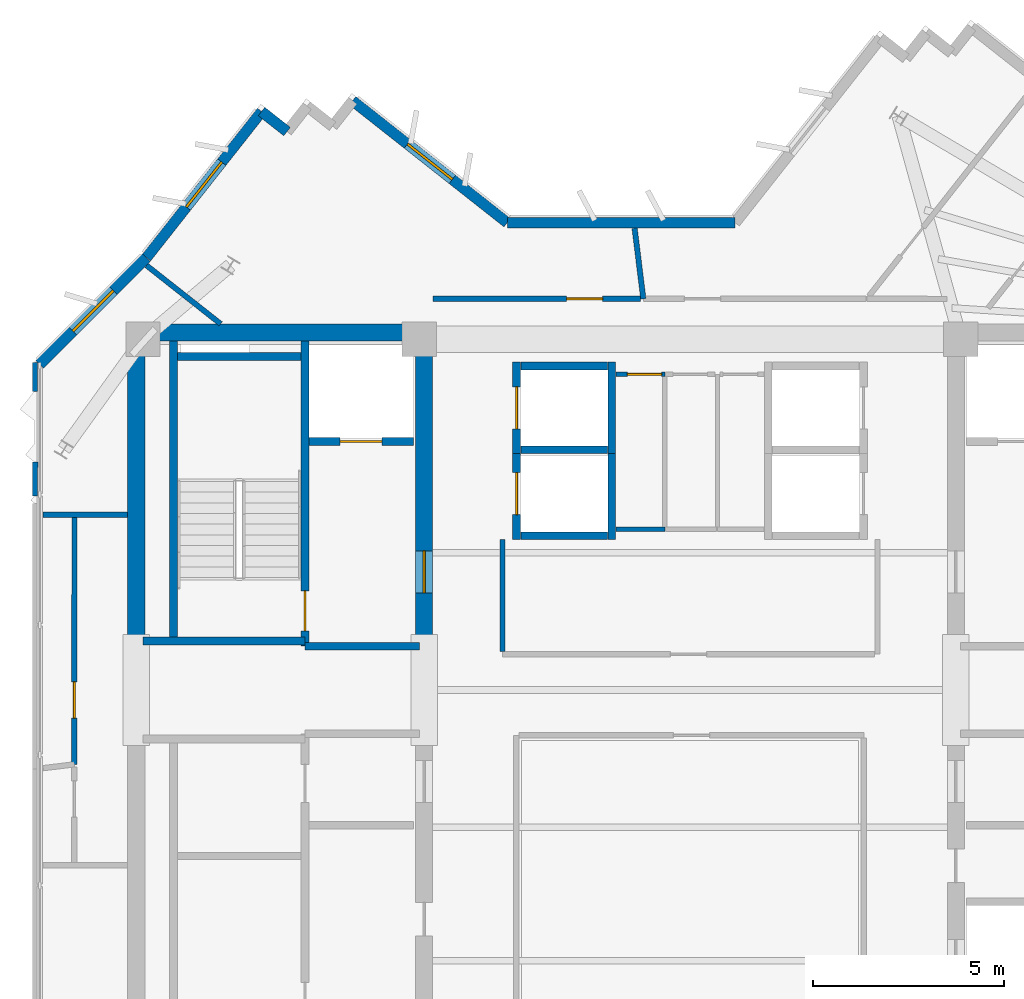
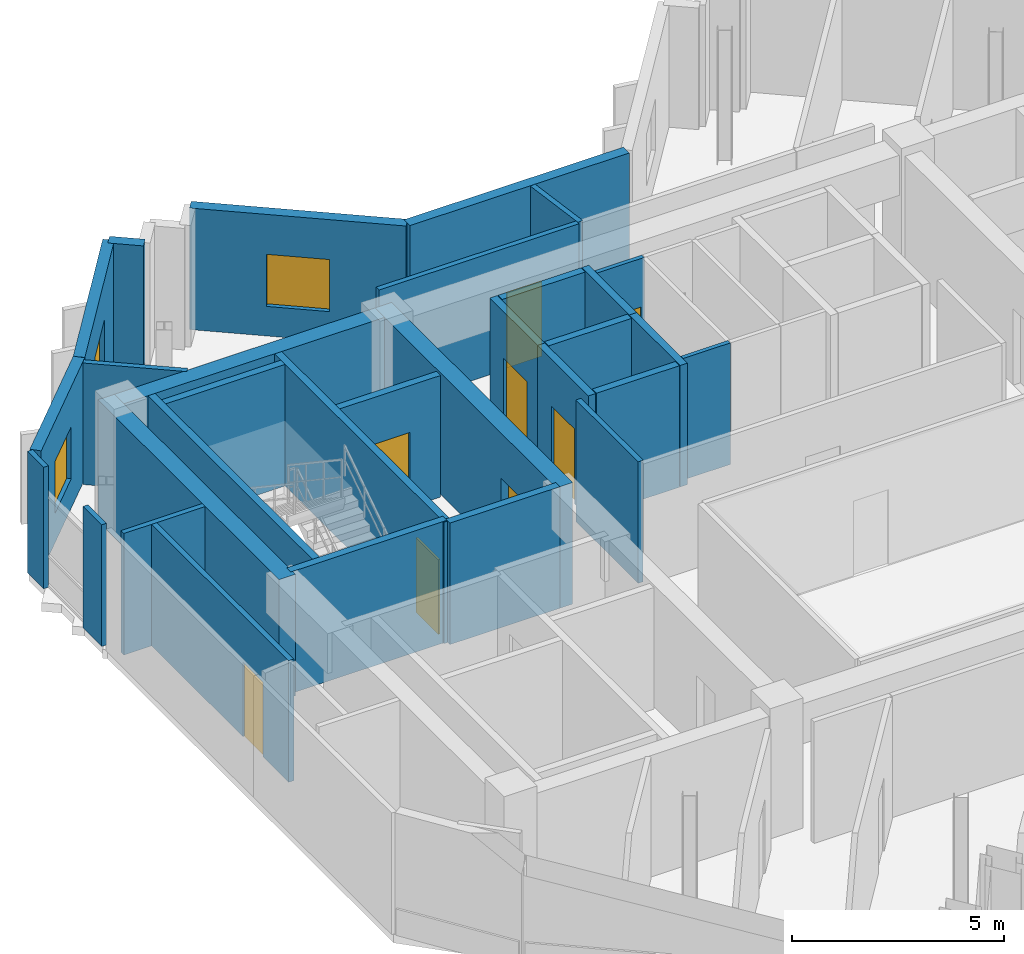
# One storey, part 6 of 10: 31 walls, 8 doors, 3 windows, 11 openings.
"""IFC4 building model written with IfcOpenShell, lengths in metres."""

import ifcopenshell
import ifcopenshell.guid

model = None  # the IFC model being written
_history = None  # IfcOwnerHistory: only IFC2X3 demands one
_inside = {}  # id of a spatial element -> (the spatial element, [elements in it])
_under = {}  # id of a project, library or spatial element -> (it, [spatial elements below it])
_declared = {}  # id of a project -> (the project, [libraries it declares])
_typed = {}  # id of a type object -> (the type object, [elements of that type])
_made_of = {}  # id of a material, layer set ... -> (it, [elements and type objects made of it])


def new_model(schema):
    """Start an empty IFC model of exactly this schema.

    Asked for "IFC4X3", IfcOpenShell would pick the latest addendum, in which some entities
    have other attributes; the version numbers below select the first issue.
    IFC2X3 requires an IfcOwnerHistory on every rooted entity: one is made here for all.
    """
    global model, _history
    if schema == "IFC4X3":
        model = ifcopenshell.file(schema_version=(4, 3, 0, 0))
    else:
        model = ifcopenshell.file(schema=schema)
    _inside.clear()
    _under.clear()
    _declared.clear()
    _typed.clear()
    _made_of.clear()
    _history = None
    if model.schema == "IFC2X3":
        org = make("IfcOrganization", Name="unknown")
        user = make(
            "IfcPersonAndOrganization",
            ThePerson=make("IfcPerson", FamilyName="unknown"),
            TheOrganization=org,
        )
        app = make(
            "IfcApplication",
            ApplicationDeveloper=org,
            Version="unknown",
            ApplicationFullName="unknown",
            ApplicationIdentifier="unknown",
        )
        _history = make(
            "IfcOwnerHistory",
            OwningUser=user,
            OwningApplication=app,
            ChangeAction="ADDED",
            CreationDate=0,
        )
    return model


def make(cls, **values):
    """One entity of the class cls with the attributes given. An attribute that is None is left unset."""
    return model.create_entity(
        cls, **{name: value for name, value in values.items() if value is not None}
    )


def rooted(cls, **values):
    """An entity with a GlobalId (a new one), such as an element, a storey or a relation."""
    return make(cls, GlobalId=ifcopenshell.guid.new(), OwnerHistory=_history, **values)


def si_unit(unit_type, name, prefix=None):
    """IfcSIUnit, for example si_unit("LENGTHUNIT", "METRE", prefix="MILLI")."""
    return make("IfcSIUnit", UnitType=unit_type, Prefix=prefix, Name=name)


def assignment(units):
    """IfcUnitAssignment: the units of a project."""
    return None if units is None else make("IfcUnitAssignment", Units=units)


def point(xyz):
    """IfcCartesianPoint."""
    return None if xyz is None else make("IfcCartesianPoint", Coordinates=xyz)


def direction(xyz):
    """IfcDirection."""
    return None if xyz is None else make("IfcDirection", DirectionRatios=xyz)


def frame(location, z_axis=None, x_axis=None):
    """IfcAxis2Placement3D, a coordinate frame: its origin and axes. An axis left out is left unset."""
    return make(
        "IfcAxis2Placement3D",
        Location=point(location),
        Axis=direction(z_axis),
        RefDirection=direction(x_axis),
    )


def frame_2d(location, x_axis=None):
    """IfcAxis2Placement2D, a coordinate frame in the plane: its origin and x axis."""
    return make(
        "IfcAxis2Placement2D", Location=point(location), RefDirection=direction(x_axis)
    )


def origin():
    """The frame at (0, 0, 0) with its axes left unset."""
    return frame((0.0, 0.0, 0.0))


def place(relative_to, where):
    """IfcLocalPlacement: puts the frame where relative to a parent placement (None: the world)."""
    return make(
        "IfcLocalPlacement", PlacementRelTo=relative_to, RelativePlacement=where
    )


def context(
    kind, dimensions, precision=None, world=None, true_north=None, identifier=None
):
    """IfcGeometricRepresentationContext, for example the 3D "Model" context."""
    return make(
        "IfcGeometricRepresentationContext",
        ContextIdentifier=identifier,
        ContextType=kind,
        CoordinateSpaceDimension=dimensions,
        Precision=precision,
        WorldCoordinateSystem=world,
        TrueNorth=true_north,
    )


def subcontext(parent, identifier, kind, view, scale=None):
    """IfcGeometricRepresentationSubContext, for example "Body" below "Model"."""
    return make(
        "IfcGeometricRepresentationSubContext",
        ContextIdentifier=identifier,
        ContextType=kind,
        ParentContext=parent,
        TargetScale=scale,
        TargetView=view,
    )


def project(units=None, contexts=None):
    """IfcProject with its units and contexts."""
    return rooted(
        "IfcProject",
        Name="project",
        RepresentationContexts=contexts,
        UnitsInContext=assignment(units),
    )


def spatial(cls, under=None, at=None, **own):
    """A site, building, storey or space (cls), placed at a placement, below another one or the project."""
    s = rooted(cls, ObjectPlacement=at, **own)
    if under is not None:
        _under.setdefault(under.id(), (under, []))[1].append(s)
    return s


def profile(cls, at=None, kind="AREA", **sizes):
    """A parametric profile (cls). Its sizes go by their IFC names, for example OverallWidth=200.0."""
    return make(cls, ProfileType=kind, Position=at, **sizes)


def rectangle(**sizes):
    """IfcRectangleProfileDef."""
    return profile("IfcRectangleProfileDef", **sizes)


def extrude(swept, where, along, depth):
    """IfcExtrudedAreaSolid: the profile swept, set in the frame where, extruded along a direction by depth."""
    return make(
        "IfcExtrudedAreaSolid",
        SweptArea=swept,
        Position=where,
        ExtrudedDirection=direction(along),
        Depth=depth,
    )


def shape(context_of_items, identifier, shape_type, items):
    """IfcShapeRepresentation: the items that make up one representation, for example the "Body"."""
    return make(
        "IfcShapeRepresentation",
        ContextOfItems=context_of_items,
        RepresentationIdentifier=identifier,
        RepresentationType=shape_type,
        Items=items,
    )


def source(mapping_origin, context_of_items, identifier, shape_type, items):
    """IfcRepresentationMap: a shape defined once, which mapped items show again and again."""
    return make(
        "IfcRepresentationMap",
        MappingOrigin=mapping_origin,
        MappedRepresentation=shape(context_of_items, identifier, shape_type, items),
    )


def transform(
    local_origin,
    x_axis=None,
    y_axis=None,
    z_axis=None,
    scale=None,
    scale2=None,
    scale3=None,
    uniform=True,
):
    """IfcCartesianTransformationOperator3D, or its non-uniform kind. x_axis, y_axis, z_axis: its Axis1, 2, 3."""
    if uniform:
        return make(
            "IfcCartesianTransformationOperator3D",
            Axis1=direction(x_axis),
            Axis2=direction(y_axis),
            LocalOrigin=point(local_origin),
            Scale=scale,
            Axis3=direction(z_axis),
        )
    return make(
        "IfcCartesianTransformationOperator3DnonUniform",
        Axis1=direction(x_axis),
        Axis2=direction(y_axis),
        LocalOrigin=point(local_origin),
        Scale=scale,
        Axis3=direction(z_axis),
        Scale2=scale2,
        Scale3=scale3,
    )


def mapped(mapping_source, mapping_target):
    """IfcMappedItem: shows the shape of a source again, moved by a transform."""
    return make(
        "IfcMappedItem", MappingSource=mapping_source, MappingTarget=mapping_target
    )


def material(Name=None, Category=None):
    """IfcMaterial."""
    return make("IfcMaterial", Name=Name, Category=Category)


def layer(
    of_material, thickness, ventilated=None, Name=None, Category=None, Priority=None
):
    """IfcMaterialLayer: one layer of a wall or slab, of a material (None: an air gap)."""
    return make(
        "IfcMaterialLayer",
        Material=of_material,
        LayerThickness=thickness,
        IsVentilated=ventilated,
        Name=Name,
        Category=Category,
        Priority=Priority,
    )


def layer_set(layers, Name=None):
    """IfcMaterialLayerSet."""
    return make("IfcMaterialLayerSet", MaterialLayers=layers, LayerSetName=Name)


def made_of(thing, what):
    """Note that an element or type object is made of a material, layer set ...; save() writes the relation."""
    if what is not None:
        _made_of.setdefault(what.id(), (what, []))[1].append(thing)
    return thing


def type_object(cls, material=None, **own):
    """A type object (cls), such as IfcWallType, which elements share."""
    return made_of(rooted(cls, **own), material)


def element(
    cls,
    number,
    at=None,
    inside=None,
    cuts=None,
    type_object=None,
    material=None,
    context=None,
    identifier="Body",
    shape_type=None,
    held_by="IfcProductDefinitionShape",
    body=None,
    shapes=None,
    **own,
):
    """One element of the class cls, such as IfcWall. Its Tag is "e" and its number.

    at: its placement. inside: the storey or other place that contains it. cuts: it is an
    opening in that element (IfcRelVoidsElement). A single representation is given by context,
    identifier, shape_type and body (its items); several are given by shapes. held_by: the class
    of the entity that holds the representations. save() writes the other relations.
    """
    e = rooted(cls, Tag="e%d" % number, ObjectPlacement=at, **own)
    if body is not None:
        shapes = [shape(context, identifier, shape_type, body)]
    if shapes is not None:
        e.Representation = make(held_by, Representations=shapes)
    if inside is not None:
        _inside.setdefault(inside.id(), (inside, []))[1].append(e)
    if cuts is not None:
        rooted(
            "IfcRelVoidsElement", RelatingBuildingElement=cuts, RelatedOpeningElement=e
        )
    if type_object is not None:
        _typed.setdefault(type_object.id(), (type_object, []))[1].append(e)
    return made_of(e, material)


def fill(opening, filler):
    """IfcRelFillsElement: the door or window that sits in an opening."""
    return rooted(
        "IfcRelFillsElement",
        RelatingOpeningElement=opening,
        RelatedBuildingElement=filler,
    )


def aggregate(whole, parts):
    """IfcRelAggregates: a whole, such as a stair, and the parts it consists of."""
    return rooted("IfcRelAggregates", RelatingObject=whole, RelatedObjects=parts)


def save(model, path):
    """Write the relations noted so far, then the file.

    IfcRelAggregates (storeys below a building ...), IfcRelContainedInSpatialStructure (elements
    in a storey), IfcRelDefinesByType, IfcRelAssociatesMaterial and IfcRelDeclares: one each for
    every whole, place, type object, material and project.
    """
    for whole, parts in _under.values():
        aggregate(whole, parts)
    for where, things in _inside.values():
        rooted(
            "IfcRelContainedInSpatialStructure",
            RelatedElements=things,
            RelatingStructure=where,
        )
    for kind, things in _typed.values():
        rooted("IfcRelDefinesByType", RelatedObjects=things, RelatingType=kind)
    for what, things in _made_of.values():
        rooted("IfcRelAssociatesMaterial", RelatedObjects=things, RelatingMaterial=what)
    for by, libraries in _declared.values():
        rooted("IfcRelDeclares", RelatingContext=by, RelatedDefinitions=libraries)
    model.write(path)


model = new_model("IFC4")

# Units and contexts
model_context = context("Model", 3, precision=1e-05, world=origin(), true_north=direction((0.0, 1.0)))
body_context = subcontext(model_context, "Body", "Model", "MODEL_VIEW")
ifc_project = project(units=[si_unit("LENGTHUNIT", "METRE"), si_unit("AREAUNIT", "SQUARE_METRE"), si_unit("VOLUMEUNIT", "CUBIC_METRE"), si_unit("PLANEANGLEUNIT", "RADIAN"), si_unit("MASSUNIT", "GRAM", prefix="KILO")], contexts=[model_context])

# Site, building, storey
site_placement = place(None, origin())
site = spatial("IfcSite", under=ifc_project, at=site_placement, CompositionType="ELEMENT")
building_placement = place(site_placement, origin())
building = spatial("IfcBuilding", under=site, at=building_placement, Name="Zahravan Cultural Tower", CompositionType="ELEMENT")
storey_placement = place(building_placement, frame((0.0, 0.0, 327.300048828125)))
storey = spatial("IfcBuildingStorey", under=building, at=storey_placement, Name="L79", CompositionType="ELEMENT", Elevation=327.300048828125)

# Wall, opening, door
ifc_material_1 = material(Name="Concrete C50/60", Category="concrete")
ifc_layer_1 = layer(ifc_material_1, 0.449951171875)
ifc_layer_set_1 = layer_set([ifc_layer_1], Name="Concrete C50/60")
wall_type_1 = type_object("IfcWallType", Name="CW-SHEAR-450-C50", PredefinedType="SHEAR", material=ifc_layer_set_1)
wall_1_placement = place(storey_placement, frame((29.02490234375, 28.050048828125, 0.0), z_axis=(0.0, 0.0, 1.0), x_axis=(0.0, 1.0, 0.0)))
wall_1 = element("IfcWall", 1, at=wall_1_placement, inside=storey, type_object=wall_type_1, Name="L79 Core Shear Wall CW-W-EN-L79", PredefinedType="SHEAR", context=body_context, shape_type="SweptSolid", body=[
    extrude(rectangle(XDim=8.550048828125, YDim=0.449951171875, at=frame_2d((4.27490234375, 0.0))), origin(), (0.0, 0.0, 1.0), 3.5),
])
opening_1_placement = place(wall_1_placement, frame((1.5, 0.0, 0.0)))
opening_1 = element("IfcOpeningElement", 2, at=opening_1_placement, cuts=wall_1, Name="Opening D-L79-06", PredefinedType="OPENING", context=body_context, shape_type="SweptSolid", body=[
    extrude(rectangle(XDim=1.10009765625, YDim=2.199951171875, at=frame_2d((0.550048828125, 1.10009765625))), frame((0.0, 0.23486328125, 0.0), z_axis=(0.0, -1.0, 0.0), x_axis=(1.0, 0.0, 0.0)), (0.0, 0.0, 1.0), 0.469970703125),
])
ifc_material_2 = material(Name="Steel ASTM A572 Grade 50", Category="steel")
door_type_1 = type_object("IfcDoorType", Name="DR-LOBBY-1100", OperationType="NOTDEFINED", PredefinedType="DOOR", material=ifc_material_2)
shared_shape_1 = source(origin(), body_context, "Body", "SweptSolid", [
    extrude(rectangle(XDim=1.10009765625, YDim=2.199951171875, at=frame_2d((0.550048828125, 1.10009765625))), frame((0.0, 0.02490234375, 0.0), z_axis=(0.0, -1.0, 0.0), x_axis=(1.0, 0.0, 0.0)), (0.0, 0.0, 1.0), 0.050048828125),
])
door_1_placement = place(opening_1_placement, origin())
door_1 = element("IfcDoor", 3, at=door_1_placement, inside=storey, type_object=door_type_1, Name="L79 Door D-L79-06", OperationType="SINGLE_SWING_RIGHT", OverallHeight=2.199951171875, OverallWidth=1.10009765625, PredefinedType="DOOR", context=body_context, shape_type="MappedRepresentation", body=[
    mapped(shared_shape_1, transform((0.0, 0.0, 0.0), x_axis=(1.0, 0.0, 0.0), y_axis=(0.0, 1.0, 0.0), z_axis=(0.0, 0.0, 1.0), scale=1.0)),
])
fill(opening_1, door_1)

# Wall, opening, window
ifc_material_3 = material(Name="Precast concrete C40/50", Category="concrete")
ifc_layer_2 = layer(ifc_material_3, 0.280029296875)
ifc_layer_set_2 = layer_set([ifc_layer_2], Name="Precast concrete C40/50")
wall_type_2 = type_object("IfcWallType", Name="EW-TC-280", PredefinedType="SOLIDWALL", material=ifc_layer_set_2)
wall_2_placement = place(storey_placement, frame((18.93994140625, 35.5419921875, 0.0), z_axis=(0.0, 0.0, 1.0), x_axis=(0.707106781187, 0.707106781187, 0.0)))
wall_2 = element("IfcWall", 4, at=wall_2_placement, inside=storey, type_object=wall_type_2, Name="L79 Exterior Masonry Frame Wall 01", PredefinedType="SOLIDWALL", context=body_context, shape_type="SweptSolid", body=[
    extrude(rectangle(XDim=3.96337890625, YDim=0.280029296875, at=frame_2d((1.981689453125, 0.0))), origin(), (0.0, 0.0, 1.0), 3.5),
])
opening_2_placement = place(wall_2_placement, frame((1.23193359375, 0.0, 0.85009765625)))
opening_2 = element("IfcOpeningElement", 5, at=opening_2_placement, cuts=wall_2, Name="Opening WN-03", PredefinedType="OPENING", context=body_context, shape_type="SweptSolid", body=[
    extrude(rectangle(XDim=1.5, YDim=1.5, at=frame_2d((0.75, 0.75))), frame((0.0, 0.14990234375, 0.0), z_axis=(0.0, -1.0, 0.0), x_axis=(1.0, 0.0, 0.0)), (0.0, 0.0, 1.0), 0.300048828125),
])
ifc_material_4 = material(Name="Low-E solar-control double glazing", Category="glass")
window_type = type_object("IfcWindowType", Name="WN-REC-1500X1500", PartitioningType="SINGLE_PANEL", PredefinedType="WINDOW", material=ifc_material_4)
shared_shape_2 = source(origin(), body_context, "Body", "SweptSolid", [
    extrude(rectangle(XDim=1.5, YDim=1.5, at=frame_2d((0.75, 0.75))), frame((0.0, 0.030029296875, 0.0), z_axis=(0.0, -1.0, 0.0), x_axis=(1.0, 0.0, 0.0)), (0.0, 0.0, 1.0), 0.06005859375),
])
window_1_placement = place(opening_2_placement, origin())
window_1 = element("IfcWindow", 6, at=window_1_placement, inside=storey, type_object=window_type, Name="L79 Recessed Solar Window 01", OverallHeight=1.5, OverallWidth=1.5, PartitioningType="SINGLE_PANEL", PredefinedType="WINDOW", context=body_context, shape_type="MappedRepresentation", body=[
    mapped(shared_shape_2, transform((0.0, 0.0, 0.0), x_axis=(1.0, 0.0, 0.0), y_axis=(0.0, 1.0, 0.0), z_axis=(0.0, 0.0, 1.0), scale=1.0)),
])
fill(opening_2, window_1)

wall_3_placement = place(storey_placement, frame((21.742431640625, 38.344482421875, 0.0), z_axis=(0.0, 0.0, 1.0), x_axis=(0.619093990715, 0.785316898239, 0.0)))
wall_3 = element("IfcWall", 7, at=wall_3_placement, inside=storey, type_object=wall_type_2, Name="L79 Exterior Masonry Frame Wall 02", PredefinedType="SOLIDWALL", context=body_context, shape_type="SweptSolid", body=[
    extrude(rectangle(XDim=4.877685546875, YDim=0.280029296875, at=frame_2d((2.43896484375, 0.0))), origin(), (0.0, 0.0, 1.0), 3.5),
])
opening_3_placement = place(wall_3_placement, frame((1.68896484375, 0.0, 0.85009765625)))
opening_3 = element("IfcOpeningElement", 8, at=opening_3_placement, cuts=wall_3, Name="Opening WN-03", PredefinedType="OPENING", context=body_context, shape_type="SweptSolid", body=[
    extrude(rectangle(XDim=1.5, YDim=1.5, at=frame_2d((0.75, 0.75))), frame((0.0, 0.14990234375, 0.0), z_axis=(0.0, -1.0, 0.0), x_axis=(1.0, 0.0, 0.0)), (0.0, 0.0, 1.0), 0.300048828125),
])
window_2_placement = place(opening_3_placement, origin())
window_2 = element("IfcWindow", 9, at=window_2_placement, inside=storey, type_object=window_type, Name="L79 Recessed Solar Window 02", OverallHeight=1.5, OverallWidth=1.5, PartitioningType="SINGLE_PANEL", PredefinedType="WINDOW", context=body_context, shape_type="MappedRepresentation", body=[
    mapped(shared_shape_2, transform((0.0, 0.0, 0.0), x_axis=(1.0, 0.0, 0.0), y_axis=(0.0, 1.0, 0.0), z_axis=(0.0, 0.0, 1.0), scale=1.0)),
])
fill(opening_3, window_2)

wall_4_placement = place(storey_placement, frame((27.14990234375, 42.457763671875, 0.0), z_axis=(0.0, 0.0, 1.0), x_axis=(0.78530363687, -0.61911081231, 0.0)))
wall_4 = element("IfcWall", 10, at=wall_4_placement, inside=storey, type_object=wall_type_2, Name="L79 Exterior Masonry Frame Wall 07", PredefinedType="SOLIDWALL", context=body_context, shape_type="SweptSolid", body=[
    extrude(rectangle(XDim=5.1650390625, YDim=0.280029296875, at=frame_2d((2.58251953125, 0.0))), origin(), (0.0, 0.0, 1.0), 3.5),
])
opening_4_placement = place(wall_4_placement, frame((1.8330078125, 0.0, 0.85009765625)))
opening_4 = element("IfcOpeningElement", 11, at=opening_4_placement, cuts=wall_4, Name="Opening WN-03", PredefinedType="OPENING", context=body_context, shape_type="SweptSolid", body=[
    extrude(rectangle(XDim=1.5, YDim=1.5, at=frame_2d((0.75, 0.75))), frame((0.0, 0.14990234375, 0.0), z_axis=(0.0, -1.0, 0.0), x_axis=(1.0, 0.0, 0.0)), (0.0, 0.0, 1.0), 0.300048828125),
])
window_3_placement = place(opening_4_placement, origin())
window_3 = element("IfcWindow", 12, at=window_3_placement, inside=storey, type_object=window_type, Name="L79 Recessed Solar Window 03", OverallHeight=1.5, OverallWidth=1.5, PartitioningType="SINGLE_PANEL", PredefinedType="WINDOW", context=body_context, shape_type="MappedRepresentation", body=[
    mapped(shared_shape_2, transform((0.0, 0.0, 0.0), x_axis=(1.0, 0.0, 0.0), y_axis=(0.0, 1.0, 0.0), z_axis=(0.0, 0.0, 1.0), scale=1.0)),
])
fill(opening_4, window_3)

# Wall, opening, door
ifc_material_5 = material(Name="Gypsum plasterboard partition")
ifc_layer_3 = layer(ifc_material_5, 0.139892578125)
ifc_layer_set_3 = layer_set([ifc_layer_3], Name="Gypsum plasterboard partition")
wall_type_3 = type_object("IfcWallType", Name="W-PART-140", PredefinedType="PARTITIONING", material=ifc_layer_set_3)
wall_5_placement = place(storey_placement, frame((19.8525390625, 31.522705078125, 0.0), z_axis=(0.0, 0.0, 1.0), x_axis=(-0.000377187662, -0.999999928865, 0.0)))
wall_5 = element("IfcWall", 13, at=wall_5_placement, inside=storey, type_object=wall_type_3, Name="L79 Interior Wall 058", PredefinedType="PARTITIONING", context=body_context, shape_type="SweptSolid", body=[
    extrude(rectangle(XDim=6.47265625, YDim=0.139892578125, at=frame_2d((3.236328125, 0.0))), origin(), (0.0, 0.0, 1.0), 3.5),
])
opening_5_placement = place(wall_5_placement, frame((4.3076171875, 0.0, 0.0)))
opening_5 = element("IfcOpeningElement", 14, at=opening_5_placement, cuts=wall_5, Name="Opening D-L79-20", PredefinedType="OPENING", context=body_context, shape_type="SweptSolid", body=[
    extrude(rectangle(XDim=0.949951171875, YDim=2.14990234375, at=frame_2d((0.47509765625, 1.074951171875))), frame((0.0, 0.079833984375, 0.0), z_axis=(0.0, -1.0, 0.0), x_axis=(1.0, 0.0, 0.0)), (0.0, 0.0, 1.0), 0.159912109375),
])
ifc_material_6 = material(Name="Anodised bronze-aluminium mullion", Category="aluminium")
door_type_2 = type_object("IfcDoorType", Name="DR-ROOM-950", OperationType="NOTDEFINED", PredefinedType="DOOR", material=ifc_material_6)
shared_shape_3 = source(origin(), body_context, "Body", "SweptSolid", [
    extrude(rectangle(XDim=0.949951171875, YDim=2.14990234375, at=frame_2d((0.47509765625, 1.074951171875))), frame((0.0, 0.02490234375, 0.0), z_axis=(0.0, -1.0, 0.0), x_axis=(1.0, 0.0, 0.0)), (0.0, 0.0, 1.0), 0.050048828125),
])
door_2_placement = place(opening_5_placement, origin())
door_2 = element("IfcDoor", 15, at=door_2_placement, inside=storey, type_object=door_type_2, Name="L79 Door D-L79-20", OperationType="SINGLE_SWING_RIGHT", OverallHeight=2.14990234375, OverallWidth=0.949951171875, PredefinedType="DOOR", context=body_context, shape_type="MappedRepresentation", body=[
    mapped(shared_shape_3, transform((0.0, 0.0, 0.0), x_axis=(1.0, 0.0, 0.0), y_axis=(0.0, 1.0, 0.0), z_axis=(0.0, 0.0, 1.0), scale=1.0)),
])
fill(opening_5, door_2)

wall_6_placement = place(storey_placement, frame((34.69970703125, 37.260009765625, 0.0), z_axis=(0.0, 0.0, 1.0), x_axis=(-0.999999995981, -8.9657955e-05, 0.0)))
wall_6 = element("IfcWall", 16, at=wall_6_placement, inside=storey, type_object=wall_type_3, Name="L79 Interior Wall 080", PredefinedType="PARTITIONING", context=body_context, shape_type="SweptSolid", body=[
    extrude(rectangle(XDim=5.446044921875, YDim=0.139892578125, at=frame_2d((2.72314453125, 0.0))), origin(), (0.0, 0.0, 1.0), 3.5),
])
opening_6_placement = place(wall_6_placement, frame((0.989013671875, 0.0, 0.0)))
opening_6 = element("IfcOpeningElement", 17, at=opening_6_placement, cuts=wall_6, Name="Opening D-L79-19", PredefinedType="OPENING", context=body_context, shape_type="SweptSolid", body=[
    extrude(rectangle(XDim=0.949951171875, YDim=2.14990234375, at=frame_2d((0.47509765625, 1.074951171875))), frame((0.0, 0.079833984375, 0.0), z_axis=(0.0, -1.0, 0.0), x_axis=(1.0, 0.0, 0.0)), (0.0, 0.0, 1.0), 0.159912109375),
])
door_3_placement = place(opening_6_placement, origin())
door_3 = element("IfcDoor", 18, at=door_3_placement, inside=storey, type_object=door_type_2, Name="L79 Door D-L79-19", OperationType="SINGLE_SWING_LEFT", OverallHeight=2.14990234375, OverallWidth=0.949951171875, PredefinedType="DOOR", context=body_context, shape_type="MappedRepresentation", body=[
    mapped(shared_shape_3, transform((0.0, 0.0, 0.0), x_axis=(1.0, 0.0, 0.0), y_axis=(0.0, 1.0, 0.0), z_axis=(0.0, 0.0, 1.0), scale=1.0)),
])
fill(opening_6, door_3)

ifc_material_7 = material(Name="Concrete C45/55", Category="concrete")
ifc_layer_4 = layer(ifc_material_7, 0.199951171875)
ifc_layer_set_4 = layer_set([ifc_layer_4], Name="Concrete C45/55")
wall_type_4 = type_object("IfcWallType", Name="W-SHAFT-200", PredefinedType="SOLIDWALL", material=ifc_layer_set_4)
wall_7_placement = place(storey_placement, frame((25.89990234375, 28.14990234375, 0.0), z_axis=(0.0, 0.0, 1.0), x_axis=(0.0, 1.0, 0.0)))
wall_7 = element("IfcWall", 19, at=wall_7_placement, inside=storey, type_object=wall_type_4, Name="L79 Interior Wall 006", PredefinedType="SOLIDWALL", context=body_context, shape_type="SweptSolid", body=[
    extrude(rectangle(XDim=8.0, YDim=0.199951171875, at=frame_2d((4.0, 0.0))), origin(), (0.0, 0.0, 1.0), 3.5),
])
opening_7_placement = place(wall_7_placement, frame((0.39990234375, 0.0, 0.0)))
opening_7 = element("IfcOpeningElement", 20, at=opening_7_placement, cuts=wall_7, Name="Opening D-L79-01", PredefinedType="OPENING", context=body_context, shape_type="SweptSolid", body=[
    extrude(rectangle(XDim=1.050048828125, YDim=2.14990234375, at=frame_2d((0.52490234375, 1.074951171875))), frame((0.0, 0.10986328125, 0.0), z_axis=(0.0, -1.0, 0.0), x_axis=(1.0, 0.0, 0.0)), (0.0, 0.0, 1.0), 0.219970703125),
])
door_type_3 = type_object("IfcDoorType", Name="DR-STAIR-1050", OperationType="NOTDEFINED", PredefinedType="DOOR", material=ifc_material_2)
shared_shape_4 = source(origin(), body_context, "Body", "SweptSolid", [
    extrude(rectangle(XDim=1.050048828125, YDim=2.14990234375, at=frame_2d((0.52490234375, 1.074951171875))), frame((0.0, 0.02490234375, 0.0), z_axis=(0.0, -1.0, 0.0), x_axis=(1.0, 0.0, 0.0)), (0.0, 0.0, 1.0), 0.050048828125),
])
door_4_placement = place(opening_7_placement, origin())
door_4 = element("IfcDoor", 21, at=door_4_placement, inside=storey, type_object=door_type_3, Name="L79 Door D-L79-01", OperationType="SINGLE_SWING_LEFT", OverallHeight=2.14990234375, OverallWidth=1.050048828125, PredefinedType="DOOR", context=body_context, shape_type="MappedRepresentation", body=[
    mapped(shared_shape_4, transform((0.0, 0.0, 0.0), x_axis=(1.0, 0.0, 0.0), y_axis=(0.0, 1.0, 0.0), z_axis=(0.0, 0.0, 1.0), scale=1.0)),
])
fill(opening_7, door_4)

wall_8_placement = place(storey_placement, frame((26.0, 33.52001953125, 0.0), z_axis=(0.0, 0.0, 1.0), x_axis=(1.0, 0.0, 0.0)))
wall_8 = element("IfcWall", 22, at=wall_8_placement, inside=storey, type_object=wall_type_4, Name="L79 Interior Wall 022", PredefinedType="SOLIDWALL", context=body_context, shape_type="SweptSolid", body=[
    extrude(rectangle(XDim=2.75, YDim=0.199951171875, at=frame_2d((1.375, 0.0))), origin(), (0.0, 0.0, 1.0), 3.5),
])
opening_8_placement = place(wall_8_placement, frame((0.820068359375, 0.0, 0.0)))
opening_8 = element("IfcOpeningElement", 23, at=opening_8_placement, cuts=wall_8, Name="Opening LD-L79-01", PredefinedType="OPENING", context=body_context, shape_type="SweptSolid", body=[
    extrude(rectangle(XDim=1.10009765625, YDim=2.14990234375, at=frame_2d((0.550048828125, 1.074951171875))), frame((0.0, 0.10986328125, 0.0), z_axis=(0.0, -1.0, 0.0), x_axis=(1.0, 0.0, 0.0)), (0.0, 0.0, 1.0), 0.219970703125),
])
door_type_4 = type_object("IfcDoorType", Name="DR-LIFT-1100", OperationType="DOUBLE_DOOR_SLIDING", PredefinedType="DOOR", material=ifc_material_2)
shared_shape_5 = source(origin(), body_context, "Body", "SweptSolid", [
    extrude(rectangle(XDim=1.10009765625, YDim=2.14990234375, at=frame_2d((0.550048828125, 1.074951171875))), frame((0.0, 0.02490234375, 0.0), z_axis=(0.0, -1.0, 0.0), x_axis=(1.0, 0.0, 0.0)), (0.0, 0.0, 1.0), 0.050048828125),
])
door_5_placement = place(opening_8_placement, origin())
door_5 = element("IfcDoor", 24, at=door_5_placement, inside=storey, type_object=door_type_4, Name="L79 Door LD-L79-01", OperationType="DOUBLE_DOOR_SLIDING", OverallHeight=2.14990234375, OverallWidth=1.10009765625, PredefinedType="DOOR", context=body_context, shape_type="MappedRepresentation", body=[
    mapped(shared_shape_5, transform((0.0, 0.0, 0.0), x_axis=(1.0, 0.0, 0.0), y_axis=(0.0, 1.0, 0.0), z_axis=(0.0, 0.0, 1.0), scale=1.0)),
])
fill(opening_8, door_5)

wall_9_placement = place(storey_placement, frame((31.449951171875, 33.199951171875, 0.0), z_axis=(0.0, 0.0, 1.0), x_axis=(0.0, 1.0, 0.0)))
wall_9 = element("IfcWall", 25, at=wall_9_placement, inside=storey, type_object=wall_type_4, Name="L79 Interior Wall 027", PredefinedType="SOLIDWALL", context=body_context, shape_type="SweptSolid", body=[
    extrude(rectangle(XDim=2.400146484375, YDim=0.199951171875, at=frame_2d((1.2001953125, 0.0))), origin(), (0.0, 0.0, 1.0), 3.5),
])
opening_9_placement = place(wall_9_placement, frame((0.64990234375, 0.0, 0.0)))
opening_9 = element("IfcOpeningElement", 26, at=opening_9_placement, cuts=wall_9, Name="Opening LD-L79-04", PredefinedType="OPENING", context=body_context, shape_type="SweptSolid", body=[
    extrude(rectangle(XDim=1.10009765625, YDim=2.14990234375, at=frame_2d((0.550048828125, 1.074951171875))), frame((0.0, 0.10986328125, 0.0), z_axis=(0.0, -1.0, 0.0), x_axis=(1.0, 0.0, 0.0)), (0.0, 0.0, 1.0), 0.219970703125),
])
door_6_placement = place(opening_9_placement, origin())
door_6 = element("IfcDoor", 27, at=door_6_placement, inside=storey, type_object=door_type_4, Name="L79 Door LD-L79-04", OperationType="DOUBLE_DOOR_SLIDING", OverallHeight=2.14990234375, OverallWidth=1.10009765625, PredefinedType="DOOR", context=body_context, shape_type="MappedRepresentation", body=[
    mapped(shared_shape_5, transform((0.0, 0.0, 0.0), x_axis=(1.0, 0.0, 0.0), y_axis=(0.0, 1.0, 0.0), z_axis=(0.0, 0.0, 1.0), scale=1.0)),
])
fill(opening_9, door_6)

wall_10_placement = place(storey_placement, frame((31.449951171875, 30.949951171875, 0.0), z_axis=(0.0, 0.0, 1.0), x_axis=(0.0, 1.0, 0.0)))
wall_10 = element("IfcWall", 28, at=wall_10_placement, inside=storey, type_object=wall_type_4, Name="L79 Interior Wall 031", PredefinedType="SOLIDWALL", context=body_context, shape_type="SweptSolid", body=[
    extrude(rectangle(XDim=2.400146484375, YDim=0.199951171875, at=frame_2d((1.2001953125, 0.0))), origin(), (0.0, 0.0, 1.0), 3.5),
])
opening_10_placement = place(wall_10_placement, frame((0.64990234375, 0.0, 0.0)))
opening_10 = element("IfcOpeningElement", 29, at=opening_10_placement, cuts=wall_10, Name="Opening LD-L79-05", PredefinedType="OPENING", context=body_context, shape_type="SweptSolid", body=[
    extrude(rectangle(XDim=1.10009765625, YDim=2.14990234375, at=frame_2d((0.550048828125, 1.074951171875))), frame((0.0, 0.10986328125, 0.0), z_axis=(0.0, -1.0, 0.0), x_axis=(1.0, 0.0, 0.0)), (0.0, 0.0, 1.0), 0.219970703125),
])
door_7_placement = place(opening_10_placement, origin())
door_7 = element("IfcDoor", 30, at=door_7_placement, inside=storey, type_object=door_type_4, Name="L79 Door LD-L79-05", OperationType="DOUBLE_DOOR_SLIDING", OverallHeight=2.14990234375, OverallWidth=1.10009765625, PredefinedType="DOOR", context=body_context, shape_type="MappedRepresentation", body=[
    mapped(shared_shape_5, transform((0.0, 0.0, 0.0), x_axis=(1.0, 0.0, 0.0), y_axis=(0.0, 1.0, 0.0), z_axis=(0.0, 0.0, 1.0), scale=1.0)),
])
fill(opening_10, door_7)

ifc_layer_5 = layer(ifc_material_5, 0.114990234375)
ifc_layer_set_5 = layer_set([ifc_layer_5], Name="Gypsum plasterboard partition")
wall_type_5 = type_object("IfcWallType", Name="W-WC-115", PredefinedType="PARTITIONING", material=ifc_layer_set_5)
wall_11_placement = place(storey_placement, frame((34.054931640625, 35.280029296875, 0.0), z_axis=(0.0, 0.0, 1.0), x_axis=(1.0, 0.0, 0.0)))
wall_11 = element("IfcWall", 31, at=wall_11_placement, inside=storey, type_object=wall_type_5, Name="L79 Interior Wall 045", PredefinedType="PARTITIONING", context=body_context, shape_type="SweptSolid", body=[
    extrude(rectangle(XDim=1.28515625, YDim=0.114990234375, at=frame_2d((0.642578125, 0.0))), origin(), (0.0, 0.0, 1.0), 3.5),
])
opening_11_placement = place(wall_11_placement, frame((0.30029296875, 0.0, 0.0)))
opening_11 = element("IfcOpeningElement", 32, at=opening_11_placement, cuts=wall_11, Name="Opening D-L79-13", PredefinedType="OPENING", context=body_context, shape_type="SweptSolid", body=[
    extrude(rectangle(XDim=0.89990234375, YDim=2.10009765625, at=frame_2d((0.449951171875, 1.050048828125))), frame((0.0, 0.0673828125, 0.0), z_axis=(0.0, -1.0, 0.0), x_axis=(1.0, 0.0, 0.0)), (0.0, 0.0, 1.0), 0.135009765625),
])
door_type_5 = type_object("IfcDoorType", Name="DR-WC-900", OperationType="NOTDEFINED", PredefinedType="DOOR", material=ifc_material_6)
shared_shape_6 = source(origin(), body_context, "Body", "SweptSolid", [
    extrude(rectangle(XDim=0.89990234375, YDim=2.10009765625, at=frame_2d((0.449951171875, 1.050048828125))), frame((0.0, 0.02490234375, 0.0), z_axis=(0.0, -1.0, 0.0), x_axis=(1.0, 0.0, 0.0)), (0.0, 0.0, 1.0), 0.050048828125),
])
door_8_placement = place(opening_11_placement, origin())
door_8 = element("IfcDoor", 33, at=door_8_placement, inside=storey, type_object=door_type_5, Name="L79 Door D-L79-13", OperationType="SINGLE_SWING_LEFT", OverallHeight=2.10009765625, OverallWidth=0.89990234375, PredefinedType="DOOR", context=body_context, shape_type="MappedRepresentation", body=[
    mapped(shared_shape_6, transform((0.0, 0.0, 0.0), x_axis=(1.0, 0.0, 0.0), y_axis=(0.0, 1.0, 0.0), z_axis=(0.0, 0.0, 1.0), scale=1.0)),
])
fill(opening_11, door_8)

# Walls
shared_shape_7 = source(origin(), body_context, "Body", "SweptSolid", [
    extrude(rectangle(XDim=8.550048828125, YDim=0.449951171875, at=frame_2d((4.27490234375, 0.0))), origin(), (0.0, 0.0, 1.0), 3.5),
])
wall_12_placement = place(storey_placement, frame((21.47509765625, 28.050048828125, 0.0), z_axis=(0.0, 0.0, 1.0), x_axis=(0.0, 1.0, 0.0)))
element("IfcWall", 34, at=wall_12_placement, inside=storey, type_object=wall_type_1, Name="L79 Core Shear Wall CW-W-WN-L79", PredefinedType="SHEAR", context=body_context, shape_type="MappedRepresentation", body=[
    mapped(shared_shape_7, transform((0.0, 0.0, 0.0), x_axis=(1.0, 0.0, 0.0), y_axis=(0.0, 1.0, 0.0), z_axis=(0.0, 0.0, 1.0), scale=1.0)),
])
shared_shape_8 = source(origin(), body_context, "Body", "SweptSolid", [
    extrude(rectangle(XDim=7.10009765625, YDim=0.449951171875, at=frame_2d((3.550048828125, 0.0))), origin(), (0.0, 0.0, 1.0), 3.5),
])
wall_13_placement = place(storey_placement, frame((21.699951171875, 36.375, 0.0), z_axis=(0.0, 0.0, 1.0), x_axis=(1.0, 0.0, 0.0)))
element("IfcWall", 35, at=wall_13_placement, inside=storey, type_object=wall_type_1, Name="L79 Core Shear Wall CW-W-N-L79", PredefinedType="SHEAR", context=body_context, shape_type="MappedRepresentation", body=[
    mapped(shared_shape_8, transform((0.0, 0.0, 0.0), x_axis=(1.0, 0.0, 0.0), y_axis=(0.0, 1.0, 0.0), z_axis=(0.0, 0.0, 1.0), scale=1.0)),
])
shared_shape_9 = source(origin(), body_context, "Body", "SweptSolid", [
    extrude(rectangle(XDim=0.849853515625, YDim=0.280029296875, at=frame_2d((0.4248046875, 0.0))), origin(), (0.0, 0.0, 1.0), 3.5),
])
wall_14_placement = place(storey_placement, frame((24.76220703125, 42.175048828125, 0.0), z_axis=(0.0, 0.0, 1.0), x_axis=(0.785360476625, -0.619038707801, 0.0)))
element("IfcWall", 36, at=wall_14_placement, inside=storey, type_object=wall_type_2, Name="L79 Exterior Masonry Frame Wall 03", PredefinedType="SOLIDWALL", context=body_context, shape_type="MappedRepresentation", body=[
    mapped(shared_shape_9, transform((0.0, 0.0, 0.0), x_axis=(1.0, 0.0, 0.0), y_axis=(0.0, 1.0, 0.0), z_axis=(0.0, 0.0, 1.0), scale=1.0)),
])
shared_shape_10 = source(origin(), body_context, "Body", "SweptSolid", [
    extrude(rectangle(XDim=5.978271484375, YDim=0.280029296875, at=frame_2d((2.9892578125, 0.0))), origin(), (0.0, 0.0, 1.0), 3.5),
])
wall_15_placement = place(storey_placement, frame((31.2060546875, 39.260009765625, 0.0), z_axis=(0.0, 0.0, 1.0), x_axis=(1.0, 0.0, 0.0)))
element("IfcWall", 37, at=wall_15_placement, inside=storey, type_object=wall_type_2, Name="L79 Exterior Masonry Frame Wall 08", PredefinedType="SOLIDWALL", context=body_context, shape_type="MappedRepresentation", body=[
    mapped(shared_shape_10, transform((0.0, 0.0, 0.0), x_axis=(1.0, 0.0, 0.0), y_axis=(0.0, 1.0, 0.0), z_axis=(0.0, 0.0, 1.0), scale=1.0)),
])
shared_shape_11 = source(origin(), body_context, "Body", "SweptSolid", [
    extrude(rectangle(XDim=7.869873046875, YDim=0.199951171875, at=frame_2d((3.93505859375, 0.0))), origin(), (0.0, 0.0, 1.0), 3.5),
])
wall_16_placement = place(storey_placement, frame((22.449951171875, 28.280029296875, 0.0), z_axis=(0.0, 0.0, 1.0), x_axis=(0.0, 1.0, 0.0)))
element("IfcWall", 38, at=wall_16_placement, inside=storey, type_object=wall_type_4, Name="L79 Interior Wall 002", PredefinedType="SOLIDWALL", context=body_context, shape_type="MappedRepresentation", body=[
    mapped(shared_shape_11, transform((0.0, 0.0, 0.0), x_axis=(1.0, 0.0, 0.0), y_axis=(0.0, 1.0, 0.0), z_axis=(0.0, 0.0, 1.0), scale=1.0)),
])
shared_shape_12 = source(origin(), body_context, "Body", "SweptSolid", [
    extrude(rectangle(XDim=4.25, YDim=0.199951171875, at=frame_2d((2.125, 0.0))), origin(), (0.0, 0.0, 1.0), 3.5),
])
wall_17_placement = place(storey_placement, frame((21.64990234375, 28.284912109375, 0.0), z_axis=(0.0, 0.0, 1.0), x_axis=(1.0, 0.0, 0.0)))
element("IfcWall", 39, at=wall_17_placement, inside=storey, type_object=wall_type_4, Name="L79 Interior Wall 011", PredefinedType="SOLIDWALL", context=body_context, shape_type="MappedRepresentation", body=[
    mapped(shared_shape_12, transform((0.0, 0.0, 0.0), x_axis=(1.0, 0.0, 0.0), y_axis=(0.0, 1.0, 0.0), z_axis=(0.0, 0.0, 1.0), scale=1.0)),
])
shared_shape_13 = source(origin(), body_context, "Body", "SweptSolid", [
    extrude(rectangle(XDim=3.0, YDim=0.199951171875, at=frame_2d((1.5, 0.0))), origin(), (0.0, 0.0, 1.0), 3.5),
])
wall_18_placement = place(storey_placement, frame((25.89990234375, 28.14990234375, 0.0), z_axis=(0.0, 0.0, 1.0), x_axis=(1.0, 0.0, 0.0)))
element("IfcWall", 40, at=wall_18_placement, inside=storey, type_object=wall_type_4, Name="L79 Interior Wall 012", PredefinedType="SOLIDWALL", context=body_context, shape_type="MappedRepresentation", body=[
    mapped(shared_shape_13, transform((0.0, 0.0, 0.0), x_axis=(1.0, 0.0, 0.0), y_axis=(0.0, 1.0, 0.0), z_axis=(0.0, 0.0, 1.0), scale=1.0)),
])
shared_shape_14 = source(origin(), body_context, "Body", "SweptSolid", [
    extrude(rectangle(XDim=3.25, YDim=0.199951171875, at=frame_2d((1.625, 0.0))), origin(), (0.0, 0.0, 1.0), 3.5),
])
wall_19_placement = place(storey_placement, frame((22.550048828125, 35.75, 0.0), z_axis=(0.0, 0.0, 1.0), x_axis=(1.0, 0.0, 0.0)))
element("IfcWall", 41, at=wall_19_placement, inside=storey, type_object=wall_type_4, Name="L79 Interior Wall 017", PredefinedType="SOLIDWALL", context=body_context, shape_type="MappedRepresentation", body=[
    mapped(shared_shape_14, transform((0.0, 0.0, 0.0), x_axis=(1.0, 0.0, 0.0), y_axis=(0.0, 1.0, 0.0), z_axis=(0.0, 0.0, 1.0), scale=1.0)),
])
shared_shape_15 = source(origin(), body_context, "Body", "SweptSolid", [
    extrude(rectangle(XDim=2.400146484375, YDim=0.199951171875, at=frame_2d((1.2001953125, 0.0))), origin(), (0.0, 0.0, 1.0), 3.5),
])
for number, where, z_axis, x_axis, name in (
    (42, (33.949951171875, 33.199951171875, 0.0), (0.0, 0.0, 1.0), (0.0, 1.0, 0.0), "L79 Interior Wall 028"),
    (43, (33.949951171875, 30.949951171875, 0.0), (0.0, 0.0, 1.0), (0.0, 1.0, 0.0), "L79 Interior Wall 032"),
):
    element("IfcWall", number, at=place(storey_placement, frame(where, z_axis=z_axis, x_axis=x_axis)), inside=storey, type_object=wall_type_4, Name=name, PredefinedType="SOLIDWALL", context=body_context, shape_type="MappedRepresentation", body=[
        mapped(shared_shape_15, transform((0.0, 0.0, 0.0), x_axis=(1.0, 0.0, 0.0), y_axis=(0.0, 1.0, 0.0), z_axis=(0.0, 0.0, 1.0), scale=1.0)),
    ])
shared_shape_16 = source(origin(), body_context, "Body", "SweptSolid", [
    extrude(rectangle(XDim=2.260009765625, YDim=0.199951171875, at=frame_2d((1.1298828125, 0.0))), origin(), (0.0, 0.0, 1.0), 3.5),
])
for number, where, z_axis, x_axis, name in (
    (44, (31.570068359375, 33.300048828125, 0.0), (0.0, 0.0, 1.0), (1.0, 0.0, 0.0), "L79 Interior Wall 029"),
    (45, (31.570068359375, 35.5, 0.0), (0.0, 0.0, 1.0), (1.0, 0.0, 0.0), "L79 Interior Wall 030"),
    (46, (31.570068359375, 31.050048828125, 0.0), (0.0, 0.0, 1.0), (1.0, 0.0, 0.0), "L79 Interior Wall 033"),
):
    element("IfcWall", number, at=place(storey_placement, frame(where, z_axis=z_axis, x_axis=x_axis)), inside=storey, type_object=wall_type_4, Name=name, PredefinedType="SOLIDWALL", context=body_context, shape_type="MappedRepresentation", body=[
        mapped(shared_shape_16, transform((0.0, 0.0, 0.0), x_axis=(1.0, 0.0, 0.0), y_axis=(0.0, 1.0, 0.0), z_axis=(0.0, 0.0, 1.0), scale=1.0)),
    ])
shared_shape_17 = source(origin(), body_context, "Body", "SweptSolid", [
    extrude(rectangle(XDim=1.28515625, YDim=0.114990234375, at=frame_2d((0.642578125, 0.0))), origin(), (0.0, 0.0, 1.0), 3.5),
])
wall_20_placement = place(storey_placement, frame((35.340087890625, 31.219970703125, 0.0), z_axis=(0.0, 0.0, 1.0), x_axis=(-1.0, 0.0, 0.0)))
element("IfcWall", 47, at=wall_20_placement, inside=storey, type_object=wall_type_5, Name="L79 Interior Wall 044", PredefinedType="PARTITIONING", context=body_context, shape_type="MappedRepresentation", body=[
    mapped(shared_shape_17, transform((0.0, 0.0, 0.0), x_axis=(1.0, 0.0, 0.0), y_axis=(0.0, 1.0, 0.0), z_axis=(0.0, 0.0, 1.0), scale=1.0)),
])
shared_shape_18 = source(origin(), body_context, "Body", "SweptSolid", [
    extrude(rectangle(XDim=2.93505859375, YDim=0.139892578125, at=frame_2d((1.467529296875, 0.0))), origin(), (0.0, 0.0, 1.0), 3.5),
])
wall_21_placement = place(storey_placement, frame((31.080078125, 28.014892578125, 0.0), z_axis=(0.0, 0.0, 1.0), x_axis=(0.0, 1.0, 0.0)))
element("IfcWall", 48, at=wall_21_placement, inside=storey, type_object=wall_type_3, Name="L79 Interior Wall 075", PredefinedType="PARTITIONING", context=body_context, shape_type="MappedRepresentation", body=[
    mapped(shared_shape_18, transform((0.0, 0.0, 0.0), x_axis=(1.0, 0.0, 0.0), y_axis=(0.0, 1.0, 0.0), z_axis=(0.0, 0.0, 1.0), scale=1.0)),
])
shared_shape_19 = source(origin(), body_context, "Body", "SweptSolid", [
    extrude(rectangle(XDim=2.215087890625, YDim=0.139892578125, at=frame_2d((1.107421875, 0.0))), origin(), (0.0, 0.0, 1.0), 3.5),
])
wall_22_placement = place(storey_placement, frame((21.2451171875, 31.599853515625, 0.0), z_axis=(0.0, 0.0, 1.0), x_axis=(-0.999998633374, -0.001653254657, 0.0)))
element("IfcWall", 49, at=wall_22_placement, inside=storey, type_object=wall_type_3, Name="L79 Interior Wall 057", PredefinedType="PARTITIONING", context=body_context, shape_type="MappedRepresentation", body=[
    mapped(shared_shape_19, transform((0.0, 0.0, 0.0), x_axis=(1.0, 0.0, 0.0), y_axis=(0.0, 1.0, 0.0), z_axis=(0.0, 0.0, 1.0), scale=1.0)),
])
shared_shape_20 = source(origin(), body_context, "Body", "SweptSolid", [
    extrude(rectangle(XDim=0.882080078125, YDim=0.139892578125, at=frame_2d((0.44091796875, 0.0))), origin(), (0.0, 0.0, 1.0), 3.5),
])
wall_23_placement = place(storey_placement, frame((18.819580078125, 32.0947265625, 0.0), z_axis=(0.0, 0.0, 1.0), x_axis=(0.000553556516, 0.999999846788, 0.0)))
element("IfcWall", 50, at=wall_23_placement, inside=storey, type_object=wall_type_3, Name="L79 Interior Wall 061", PredefinedType="PARTITIONING", context=body_context, shape_type="MappedRepresentation", body=[
    mapped(shared_shape_20, transform((0.0, 0.0, 0.0), x_axis=(1.0, 0.0, 0.0), y_axis=(0.0, 1.0, 0.0), z_axis=(0.0, 0.0, 1.0), scale=1.0)),
])
shared_shape_21 = source(origin(), body_context, "Body", "SweptSolid", [
    extrude(rectangle(XDim=0.76171875, YDim=0.139892578125, at=frame_2d((0.380859375, 0.0))), origin(), (0.0, 0.0, 1.0), 3.5),
])
wall_24_placement = place(storey_placement, frame((18.81689453125, 34.830078125, 0.0), z_axis=(0.0, 0.0, 1.0), x_axis=(0.004166630498, 0.999991319557, 0.0)))
element("IfcWall", 51, at=wall_24_placement, inside=storey, type_object=wall_type_3, Name="L79 Interior Wall 062", PredefinedType="PARTITIONING", context=body_context, shape_type="MappedRepresentation", body=[
    mapped(shared_shape_21, transform((0.0, 0.0, 0.0), x_axis=(1.0, 0.0, 0.0), y_axis=(0.0, 1.0, 0.0), z_axis=(0.0, 0.0, 1.0), scale=1.0)),
])
shared_shape_22 = source(origin(), body_context, "Body", "SweptSolid", [
    extrude(rectangle(XDim=2.47705078125, YDim=0.139892578125, at=frame_2d((1.238525390625, 0.0))), origin(), (0.0, 0.0, 1.0), 3.5),
])
wall_25_placement = place(storey_placement, frame((21.74169921875, 38.138427734375, 0.0), z_axis=(0.0, 0.0, 1.0), x_axis=(0.785339198937, -0.619065701371, 0.0)))
element("IfcWall", 52, at=wall_25_placement, inside=storey, type_object=wall_type_3, Name="L79 Interior Wall 063", PredefinedType="PARTITIONING", context=body_context, shape_type="MappedRepresentation", body=[
    mapped(shared_shape_22, transform((0.0, 0.0, 0.0), x_axis=(1.0, 0.0, 0.0), y_axis=(0.0, 1.0, 0.0), z_axis=(0.0, 0.0, 1.0), scale=1.0)),
])
shared_shape_23 = source(origin(), body_context, "Body", "SweptSolid", [
    extrude(rectangle(XDim=1.86865234375, YDim=0.139892578125, at=frame_2d((0.934326171875, 0.0))), origin(), (0.0, 0.0, 1.0), 3.5),
])
wall_26_placement = place(storey_placement, frame((34.775390625, 37.26025390625, 0.0), z_axis=(0.0, 0.0, 1.0), x_axis=(-0.122153221409, 0.992511254596, 0.0)))
element("IfcWall", 53, at=wall_26_placement, inside=storey, type_object=wall_type_3, Name="L79 Interior Wall 077", PredefinedType="PARTITIONING", context=body_context, shape_type="MappedRepresentation", body=[
    mapped(shared_shape_23, transform((0.0, 0.0, 0.0), x_axis=(1.0, 0.0, 0.0), y_axis=(0.0, 1.0, 0.0), z_axis=(0.0, 0.0, 1.0), scale=1.0)),
])

save(model, "model.ifc")
